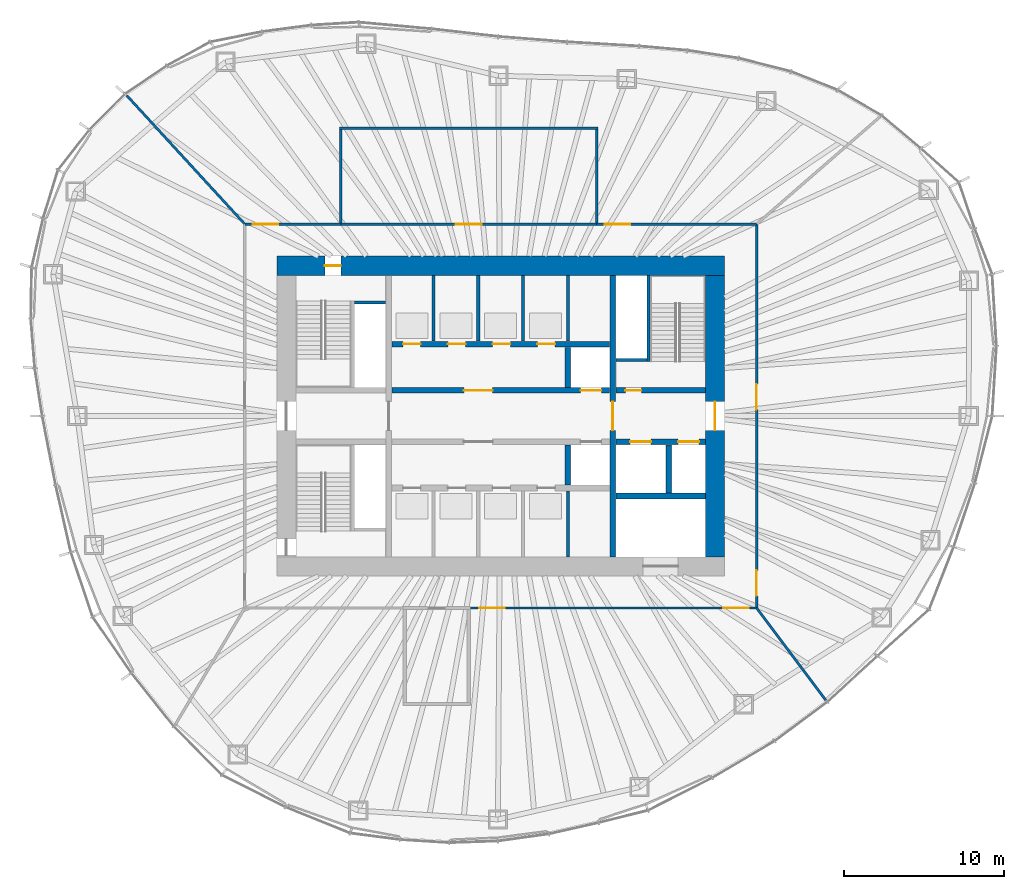
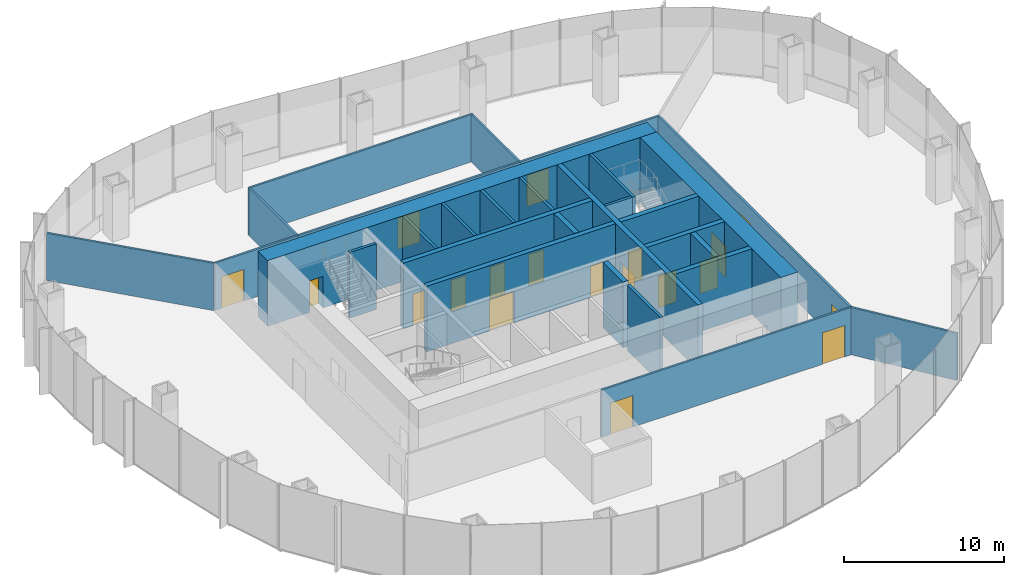
# One storey, part 9 of 18: 29 walls, 19 doors, 19 openings.
"""IFC4 building model written with IfcOpenShell, lengths in metres."""

from ifc_helpers import new_model, si_unit, direction, frame, frame_2d, origin, place, context, subcontext, project, spatial, rectangle, extrude, material, layer, layer_set, type_object, element, fill, save


model = new_model("IFC4")

# Units and contexts
model_context = context("Model", 3, precision=1e-05, world=origin(), true_north=direction((0.0, 1.0)))
body_context = subcontext(model_context, "Body", "Model", "MODEL_VIEW")
ifc_project = project(units=[si_unit("LENGTHUNIT", "METRE"), si_unit("AREAUNIT", "SQUARE_METRE"), si_unit("VOLUMEUNIT", "CUBIC_METRE"), si_unit("PLANEANGLEUNIT", "RADIAN"), si_unit("MASSUNIT", "GRAM", prefix="KILO")], contexts=[model_context])

# Site, building, storey
site_placement = place(None, origin())
site = spatial("IfcSite", under=ifc_project, at=site_placement, CompositionType="ELEMENT")
building_placement = place(site_placement, origin())
building = spatial("IfcBuilding", under=site, at=building_placement, Name="Ghaith Harvest Tower", CompositionType="ELEMENT")
storey_placement = place(building_placement, frame((0.0, 0.0, 184.800048828125)))
storey = spatial("IfcBuildingStorey", under=building, at=storey_placement, Name="L40", CompositionType="ELEMENT", Elevation=184.800048828125)

# Wall, opening, door
ifc_material_1 = material(Name="Concrete C60/75", Category="concrete")
ifc_layer_1 = layer(ifc_material_1, 1.199951171875)
ifc_layer_set_1 = layer_set([ifc_layer_1], Name="CORE WALL CW1200 C60")
wall_type_1 = type_object("IfcWallType", Name="CORE WALL CW1200 C60", PredefinedType="SHEAR", material=ifc_layer_set_1)
wall_1_placement = place(storey_placement, frame((14.0, 9.39990234375, 0.0), z_axis=(0.0, 0.0, 1.0), x_axis=(-1.0, 0.0, 0.0)))
wall_1 = element("IfcWall", 1, at=wall_1_placement, inside=storey, type_object=wall_type_1, Name="Core wall N L40", PredefinedType="SHEAR", context=body_context, shape_type="SweptSolid", body=[
    extrude(rectangle(XDim=28.0, YDim=1.199951171875, at=frame_2d((14.0, 0.0))), origin(), (0.0, 0.0, 1.0), 5.0),
])
opening_1_placement = place(wall_1_placement, frame((24.0, 0.0, 0.0)))
opening_1 = element("IfcOpeningElement", 2, at=opening_1_placement, cuts=wall_1, Name="Opening 40-005", PredefinedType="OPENING", context=body_context, shape_type="SweptSolid", body=[
    extrude(rectangle(XDim=1.0, YDim=2.39990234375, at=frame_2d((0.5, 1.199951171875))), frame((0.0, 0.60986328125, 0.0), z_axis=(0.0, -1.0, 0.0), x_axis=(1.0, 0.0, 0.0)), (0.0, 0.0, 1.0), 1.219970703125),
])
ifc_material_2 = material(Name="Steel fire door", Category="steel")
door_type_1 = type_object("IfcDoorType", Name="D3 FD90 1000x2400", OperationType="SINGLE_SWING_LEFT", PredefinedType="DOOR", material=ifc_material_2)
door_1_placement = place(opening_1_placement, origin())
door_1 = element("IfcDoor", 3, at=door_1_placement, inside=storey, type_object=door_type_1, Name="Stair ST1 door", OperationType="SINGLE_SWING_RIGHT", OverallHeight=2.39990234375, OverallWidth=1.0, PredefinedType="DOOR", context=body_context, shape_type="SweptSolid", body=[
    extrude(rectangle(XDim=1.0, YDim=2.39990234375, at=frame_2d((0.5, 1.199951171875))), frame((0.0, 0.02490234375, 0.0), z_axis=(0.0, -1.0, 0.0), x_axis=(1.0, 0.0, 0.0)), (0.0, 0.0, 1.0), 0.050048828125),
])
fill(opening_1, door_1)

wall_2_placement = place(storey_placement, frame((13.39990234375, -8.800048828125, 0.0), z_axis=(0.0, 0.0, 1.0), x_axis=(0.0, 1.0, 0.0)))
wall_2 = element("IfcWall", 4, at=wall_2_placement, inside=storey, type_object=wall_type_1, Name="Core wall E L40", PredefinedType="SHEAR", context=body_context, shape_type="SweptSolid", body=[
    extrude(rectangle(XDim=17.60009765625, YDim=1.199951171875, at=frame_2d((8.800048828125, 0.0))), origin(), (0.0, 0.0, 1.0), 5.0),
])
opening_2_placement = place(wall_2_placement, frame((7.89990234375, 0.0, 0.0)))
opening_2 = element("IfcOpeningElement", 5, at=opening_2_placement, cuts=wall_2, Name="Opening 40-002", PredefinedType="OPENING", context=body_context, shape_type="SweptSolid", body=[
    extrude(rectangle(XDim=1.800048828125, YDim=2.39990234375, at=frame_2d((0.89990234375, 1.199951171875))), frame((0.0, 0.60986328125, 0.0), z_axis=(0.0, -1.0, 0.0), x_axis=(1.0, 0.0, 0.0)), (0.0, 0.0, 1.0), 1.219970703125),
])
ifc_material_3 = material(Name="Steel fire door", Category="steel")
door_type_2 = type_object("IfcDoorType", Name="D4 FD90 PAIR 1800x2400", OperationType="DOUBLE_DOOR_SINGLE_SWING", PredefinedType="DOOR", material=ifc_material_3)
door_2_placement = place(opening_2_placement, origin())
door_2 = element("IfcDoor", 6, at=door_2_placement, inside=storey, type_object=door_type_2, Name="Fire-fighting lobby doors", OperationType="DOUBLE_DOOR_SINGLE_SWING", OverallHeight=2.39990234375, OverallWidth=1.800048828125, PredefinedType="DOOR", context=body_context, shape_type="SweptSolid", body=[
    extrude(rectangle(XDim=1.800048828125, YDim=2.39990234375, at=frame_2d((0.89990234375, 1.199951171875))), frame((0.0, 0.02490234375, 0.0), z_axis=(0.0, -1.0, 0.0), x_axis=(1.0, 0.0, 0.0)), (0.0, 0.0, 1.0), 0.050048828125),
])
fill(opening_2, door_2)

# Walls
ifc_material_4 = material(Name="Concrete blockwork, 2-hour", Category="masonry")
ifc_layer_2 = layer(ifc_material_4, 0.199951171875)
ifc_layer_set_2 = layer_set([ifc_layer_2], Name="LIFT SHAFT WALL 200")
wall_type_2 = type_object("IfcWallType", Name="LIFT SHAFT WALL 200", PredefinedType="PARTITIONING", material=ifc_layer_set_2)
for number, where, z_axis, x_axis, name in (
    (7, (-4.199951171875, 4.699951171875, 0.0), (0.0, 0.0, 1.0), (0.0, 1.0, 0.0), "Lift shaft wall L40"),
    (8, (-1.39990234375, 4.699951171875, 0.0), (0.0, 0.0, 1.0), (0.0, 1.0, 0.0), "Lift shaft wall L40"),
    (9, (1.39990234375, 4.699951171875, 0.0), (0.0, 0.0, 1.0), (0.0, 1.0, 0.0), "Lift shaft wall L40"),
    (10, (4.199951171875, 4.699951171875, 0.0), (0.0, 0.0, 1.0), (0.0, 1.0, 0.0), "Lift shaft wall L40"),
    (11, (4.199951171875, -4.699951171875, 0.0), (0.0, 0.0, 1.0), (0.0, -1.0, 0.0), "Lift shaft wall L40"),
):
    element("IfcWall", number, at=place(storey_placement, frame(where, z_axis=z_axis, x_axis=x_axis)), inside=storey, type_object=wall_type_2, Name=name, PredefinedType="PARTITIONING", context=body_context, shape_type="SweptSolid", body=[
        extrude(rectangle(XDim=4.10009765625, YDim=0.199951171875, at=frame_2d((2.050048828125, 0.0))), origin(), (0.0, 0.0, 1.0), 5.0),
    ])
ifc_material_5 = material(Name="Gypsum board on steel studs", Category="steel")
ifc_layer_3 = layer(ifc_material_5, 0.14990234375)
ifc_layer_set_3 = layer_set([ifc_layer_3], Name="PARTITION 150")
wall_type_3 = type_object("IfcWallType", Name="PARTITION 150", PredefinedType="PARTITIONING", material=ifc_layer_set_3)
wall_3_placement = place(storey_placement, frame((-16.013427734375, 12.0146484375, 0.0), z_axis=(0.0, 0.0, 1.0), x_axis=(-0.676167685567, 0.73674775941, 0.0)))
element("IfcWall", 12, at=wall_3_placement, inside=storey, type_object=wall_type_3, Name="Partition L40 zone division", PredefinedType="PARTITIONING", context=body_context, shape_type="SweptSolid", body=[
    extrude(rectangle(XDim=10.9013671875, YDim=0.14990234375, at=frame_2d((5.45068359375, 0.0))), origin(), (0.0, 0.0, 1.0), 3.599853515625),
])
wall_4_placement = place(storey_placement, frame((16.011962890625, -12.01611328125, 0.0), z_axis=(0.0, 0.0, 1.0), x_axis=(0.600059749679, -0.799955184254, 0.0)))
element("IfcWall", 13, at=wall_4_placement, inside=storey, type_object=wall_type_3, Name="Partition L40 zone division", PredefinedType="PARTITIONING", context=body_context, shape_type="SweptSolid", body=[
    extrude(rectangle(XDim=7.191162109375, YDim=0.14990234375, at=frame_2d((3.595703125, 0.0))), origin(), (0.0, 0.0, 1.0), 3.599853515625),
])

# Wall, opening, door
wall_5_placement = place(storey_placement, frame((-10.0, 12.0, 0.0), z_axis=(0.0, 0.0, 1.0), x_axis=(-1.0, 0.0, 0.0)))
wall_5 = element("IfcWall", 14, at=wall_5_placement, inside=storey, type_object=wall_type_3, Name="Partition L40 zone enclosure", PredefinedType="PARTITIONING", context=body_context, shape_type="SweptSolid", body=[
    extrude(rectangle(XDim=6.0, YDim=0.14990234375, at=frame_2d((3.0, 0.0))), origin(), (0.0, 0.0, 1.0), 3.599853515625),
])
opening_3_placement = place(wall_5_placement, frame((3.89990234375, 0.0, 0.0)))
opening_3 = element("IfcOpeningElement", 15, at=opening_3_placement, cuts=wall_5, Name="Opening 40-026", PredefinedType="OPENING", context=body_context, shape_type="SweptSolid", body=[
    extrude(rectangle(XDim=1.60009765625, YDim=2.39990234375, at=frame_2d((0.800048828125, 1.199951171875))), frame((0.0, 0.0849609375, 0.0), z_axis=(0.0, -1.0, 0.0), x_axis=(1.0, 0.0, 0.0)), (0.0, 0.0, 1.0), 0.169921875),
])
ifc_material_6 = material(Name="Timber door", Category="wood")
door_type_3 = type_object("IfcDoorType", Name="D2 PAIR 1600x2400", OperationType="DOUBLE_DOOR_SINGLE_SWING", PredefinedType="DOOR", material=ifc_material_6)
door_3_placement = place(opening_3_placement, origin())
door_3 = element("IfcDoor", 16, at=door_3_placement, inside=storey, type_object=door_type_3, Name="Business lounge north door", OperationType="DOUBLE_DOOR_SINGLE_SWING", OverallHeight=2.39990234375, OverallWidth=1.60009765625, PredefinedType="DOOR", context=body_context, shape_type="SweptSolid", body=[
    extrude(rectangle(XDim=1.60009765625, YDim=2.39990234375, at=frame_2d((0.800048828125, 1.199951171875))), frame((0.0, 0.02490234375, 0.0), z_axis=(0.0, -1.0, 0.0), x_axis=(1.0, 0.0, 0.0)), (0.0, 0.0, 1.0), 0.050048828125),
])
fill(opening_3, door_3)

wall_6_placement = place(storey_placement, frame((16.0, 12.0, 0.0), z_axis=(0.0, 0.0, 1.0), x_axis=(-1.0, 0.0, 0.0)))
wall_6 = element("IfcWall", 17, at=wall_6_placement, inside=storey, type_object=wall_type_3, Name="Partition L40 zone enclosure", PredefinedType="PARTITIONING", context=body_context, shape_type="SweptSolid", body=[
    extrude(rectangle(XDim=10.0, YDim=0.14990234375, at=frame_2d((5.0, 0.0))), origin(), (0.0, 0.0, 1.0), 3.599853515625),
])
opening_4_placement = place(wall_6_placement, frame((7.89990234375, 0.0, 0.0)))
opening_4 = element("IfcOpeningElement", 18, at=opening_4_placement, cuts=wall_6, Name="Opening 40-025", PredefinedType="OPENING", context=body_context, shape_type="SweptSolid", body=[
    extrude(rectangle(XDim=1.60009765625, YDim=2.39990234375, at=frame_2d((0.800048828125, 1.199951171875))), frame((0.0, 0.0849609375, 0.0), z_axis=(0.0, -1.0, 0.0), x_axis=(1.0, 0.0, 0.0)), (0.0, 0.0, 1.0), 0.169921875),
])
door_4_placement = place(opening_4_placement, origin())
door_4 = element("IfcDoor", 19, at=door_4_placement, inside=storey, type_object=door_type_3, Name="Business lounge north door", OperationType="DOUBLE_DOOR_SINGLE_SWING", OverallHeight=2.39990234375, OverallWidth=1.60009765625, PredefinedType="DOOR", context=body_context, shape_type="SweptSolid", body=[
    extrude(rectangle(XDim=1.60009765625, YDim=2.39990234375, at=frame_2d((0.800048828125, 1.199951171875))), frame((0.0, 0.02490234375, 0.0), z_axis=(0.0, -1.0, 0.0), x_axis=(1.0, 0.0, 0.0)), (0.0, 0.0, 1.0), 0.050048828125),
])
fill(opening_4, door_4)

# Wall, openings, doors
wall_7_placement = place(storey_placement, frame((16.0, -12.0, 0.0), z_axis=(0.0, 0.0, 1.0), x_axis=(0.0, 1.0, 0.0)))
wall_7 = element("IfcWall", 20, at=wall_7_placement, inside=storey, type_object=wall_type_3, Name="Partition L40 zone enclosure", PredefinedType="PARTITIONING", context=body_context, shape_type="SweptSolid", body=[
    extrude(rectangle(XDim=24.0, YDim=0.14990234375, at=frame_2d((12.0, 0.0))), origin(), (0.0, 0.0, 1.0), 3.599853515625),
])
opening_5_placement = place(wall_7_placement, frame((12.39990234375, 0.0, 0.0)))
opening_5 = element("IfcOpeningElement", 21, at=opening_5_placement, cuts=wall_7, Name="Opening 40-027", PredefinedType="OPENING", context=body_context, shape_type="SweptSolid", body=[
    extrude(rectangle(XDim=1.60009765625, YDim=2.39990234375, at=frame_2d((0.800048828125, 1.199951171875))), frame((0.0, 0.0849609375, 0.0), z_axis=(0.0, -1.0, 0.0), x_axis=(1.0, 0.0, 0.0)), (0.0, 0.0, 1.0), 0.169921875),
])
opening_6_placement = place(wall_7_placement, frame((0.75, 0.0, 0.0)))
opening_6 = element("IfcOpeningElement", 22, at=opening_6_placement, cuts=wall_7, Name="Opening 40-028", PredefinedType="OPENING", context=body_context, shape_type="SweptSolid", body=[
    extrude(rectangle(XDim=1.60009765625, YDim=2.39990234375, at=frame_2d((0.800048828125, 1.199951171875))), frame((0.0, 0.0849609375, 0.0), z_axis=(0.0, -1.0, 0.0), x_axis=(1.0, 0.0, 0.0)), (0.0, 0.0, 1.0), 0.169921875),
])
door_5_placement = place(opening_5_placement, origin())
door_5 = element("IfcDoor", 23, at=door_5_placement, inside=storey, type_object=door_type_3, Name="Business centre east door", OperationType="DOUBLE_DOOR_SINGLE_SWING", OverallHeight=2.39990234375, OverallWidth=1.60009765625, PredefinedType="DOOR", context=body_context, shape_type="SweptSolid", body=[
    extrude(rectangle(XDim=1.60009765625, YDim=2.39990234375, at=frame_2d((0.800048828125, 1.199951171875))), frame((0.0, 0.02490234375, 0.0), z_axis=(0.0, -1.0, 0.0), x_axis=(1.0, 0.0, 0.0)), (0.0, 0.0, 1.0), 0.050048828125),
])
fill(opening_5, door_5)
door_6_placement = place(opening_6_placement, origin())
door_6 = element("IfcDoor", 24, at=door_6_placement, inside=storey, type_object=door_type_3, Name="Business centre east door", OperationType="DOUBLE_DOOR_SINGLE_SWING", OverallHeight=2.39990234375, OverallWidth=1.60009765625, PredefinedType="DOOR", context=body_context, shape_type="SweptSolid", body=[
    extrude(rectangle(XDim=1.60009765625, YDim=2.39990234375, at=frame_2d((0.800048828125, 1.199951171875))), frame((0.0, 0.02490234375, 0.0), z_axis=(0.0, -1.0, 0.0), x_axis=(1.0, 0.0, 0.0)), (0.0, 0.0, 1.0), 0.050048828125),
])
fill(opening_6, door_6)

wall_8_placement = place(storey_placement, frame((-2.0, -12.0, 0.0), z_axis=(0.0, 0.0, 1.0), x_axis=(1.0, 0.0, 0.0)))
wall_8 = element("IfcWall", 25, at=wall_8_placement, inside=storey, type_object=wall_type_3, Name="Partition L40 zone enclosure", PredefinedType="PARTITIONING", context=body_context, shape_type="SweptSolid", body=[
    extrude(rectangle(XDim=18.0, YDim=0.14990234375, at=frame_2d((9.0, 0.0))), origin(), (0.0, 0.0, 1.0), 3.599853515625),
])
opening_7_placement = place(wall_8_placement, frame((0.64990234375, 0.0, 0.0)))
opening_7 = element("IfcOpeningElement", 26, at=opening_7_placement, cuts=wall_8, Name="Opening 40-029", PredefinedType="OPENING", context=body_context, shape_type="SweptSolid", body=[
    extrude(rectangle(XDim=1.60009765625, YDim=2.39990234375, at=frame_2d((0.800048828125, 1.199951171875))), frame((0.0, 0.0849609375, 0.0), z_axis=(0.0, -1.0, 0.0), x_axis=(1.0, 0.0, 0.0)), (0.0, 0.0, 1.0), 0.169921875),
])
opening_8_placement = place(wall_8_placement, frame((15.89990234375, 0.0, 0.0)))
opening_8 = element("IfcOpeningElement", 27, at=opening_8_placement, cuts=wall_8, Name="Opening 40-030", PredefinedType="OPENING", context=body_context, shape_type="SweptSolid", body=[
    extrude(rectangle(XDim=1.60009765625, YDim=2.39990234375, at=frame_2d((0.800048828125, 1.199951171875))), frame((0.0, 0.0849609375, 0.0), z_axis=(0.0, -1.0, 0.0), x_axis=(1.0, 0.0, 0.0)), (0.0, 0.0, 1.0), 0.169921875),
])
door_7_placement = place(opening_7_placement, origin())
door_7 = element("IfcDoor", 28, at=door_7_placement, inside=storey, type_object=door_type_3, Name="Co-working lounge south door", OperationType="DOUBLE_DOOR_SINGLE_SWING", OverallHeight=2.39990234375, OverallWidth=1.60009765625, PredefinedType="DOOR", context=body_context, shape_type="SweptSolid", body=[
    extrude(rectangle(XDim=1.60009765625, YDim=2.39990234375, at=frame_2d((0.800048828125, 1.199951171875))), frame((0.0, 0.02490234375, 0.0), z_axis=(0.0, -1.0, 0.0), x_axis=(1.0, 0.0, 0.0)), (0.0, 0.0, 1.0), 0.050048828125),
])
fill(opening_7, door_7)
door_8_placement = place(opening_8_placement, origin())
door_8 = element("IfcDoor", 29, at=door_8_placement, inside=storey, type_object=door_type_3, Name="Co-working lounge south door", OperationType="DOUBLE_DOOR_SINGLE_SWING", OverallHeight=2.39990234375, OverallWidth=1.60009765625, PredefinedType="DOOR", context=body_context, shape_type="SweptSolid", body=[
    extrude(rectangle(XDim=1.60009765625, YDim=2.39990234375, at=frame_2d((0.800048828125, 1.199951171875))), frame((0.0, 0.02490234375, 0.0), z_axis=(0.0, -1.0, 0.0), x_axis=(1.0, 0.0, 0.0)), (0.0, 0.0, 1.0), 0.050048828125),
])
fill(opening_8, door_8)

# Wall, opening, door
wall_9_placement = place(storey_placement, frame((-10.074951171875, 12.0, 0.0), z_axis=(0.0, 0.0, 1.0), x_axis=(1.0, 0.0, 0.0)))
wall_9 = element("IfcWall", 30, at=wall_9_placement, inside=storey, type_object=wall_type_3, Name="Partition L40-01", PredefinedType="PARTITIONING", context=body_context, shape_type="SweptSolid", body=[
    extrude(rectangle(XDim=16.14990234375, YDim=0.14990234375, at=frame_2d((8.074951171875, 0.0))), origin(), (0.0, 0.0, 1.0), 3.599853515625),
])
opening_9_placement = place(wall_9_placement, frame((7.27490234375, 0.0, 0.0)))
opening_9 = element("IfcOpeningElement", 31, at=opening_9_placement, cuts=wall_9, Name="Opening 40-023", PredefinedType="OPENING", context=body_context, shape_type="SweptSolid", body=[
    extrude(rectangle(XDim=1.60009765625, YDim=2.39990234375, at=frame_2d((0.800048828125, 1.199951171875))), frame((0.0, 0.0849609375, 0.0), z_axis=(0.0, -1.0, 0.0), x_axis=(1.0, 0.0, 0.0)), (0.0, 0.0, 1.0), 0.169921875),
])
door_9_placement = place(opening_9_placement, origin())
door_9 = element("IfcDoor", 32, at=door_9_placement, inside=storey, type_object=door_type_3, Name="Sky cafe door", OperationType="DOUBLE_DOOR_SINGLE_SWING", OverallHeight=2.39990234375, OverallWidth=1.60009765625, PredefinedType="DOOR", context=body_context, shape_type="SweptSolid", body=[
    extrude(rectangle(XDim=1.60009765625, YDim=2.39990234375, at=frame_2d((0.800048828125, 1.199951171875))), frame((0.0, 0.02490234375, 0.0), z_axis=(0.0, -1.0, 0.0), x_axis=(1.0, 0.0, 0.0)), (0.0, 0.0, 1.0), 0.050048828125),
])
fill(opening_9, door_9)

# Walls
wall_10_placement = place(storey_placement, frame((-10.074951171875, 18.0, 0.0), z_axis=(0.0, 0.0, 1.0), x_axis=(1.0, 0.0, 0.0)))
element("IfcWall", 33, at=wall_10_placement, inside=storey, type_object=wall_type_3, Name="Partition L40-01", PredefinedType="PARTITIONING", context=body_context, shape_type="SweptSolid", body=[
    extrude(rectangle(XDim=16.14990234375, YDim=0.14990234375, at=frame_2d((8.074951171875, 0.0))), origin(), (0.0, 0.0, 1.0), 3.599853515625),
])
for number, where, z_axis, x_axis, name in (
    (34, (-10.0, 12.074951171875, 0.0), (0.0, 0.0, 1.0), (0.0, 1.0, 0.0), "Partition L40-01"),
    (35, (6.0, 12.074951171875, 0.0), (0.0, 0.0, 1.0), (0.0, 1.0, 0.0), "Partition L40-01"),
):
    element("IfcWall", number, at=place(storey_placement, frame(where, z_axis=z_axis, x_axis=x_axis)), inside=storey, type_object=wall_type_3, Name=name, PredefinedType="PARTITIONING", context=body_context, shape_type="SweptSolid", body=[
        extrude(rectangle(XDim=5.85009765625, YDim=0.14990234375, at=frame_2d((2.925048828125, 0.0))), origin(), (0.0, 0.0, 1.0), 3.599853515625),
    ])

# Wall, opening, door
ifc_material_7 = material(Name="Concrete C60/75", Category="concrete")
ifc_layer_4 = layer(ifc_material_7, 0.35009765625)
ifc_layer_set_4 = layer_set([ifc_layer_4], Name="SHAFT WALL 350")
wall_type_4 = type_object("IfcWallType", Name="SHAFT WALL 350", PredefinedType="SHEAR", material=ifc_layer_set_4)
wall_11_placement = place(storey_placement, frame((7.0, -8.800048828125, 0.0), z_axis=(0.0, 0.0, 1.0), x_axis=(0.0, 1.0, 0.0)))
wall_11 = element("IfcWall", 36, at=wall_11_placement, inside=storey, type_object=wall_type_4, Name="Shaft wall W7E L40", PredefinedType="SHEAR", context=body_context, shape_type="SweptSolid", body=[
    extrude(rectangle(XDim=17.60009765625, YDim=0.35009765625, at=frame_2d((8.800048828125, 0.0))), origin(), (0.0, 0.0, 1.0), 5.0),
])
opening_10_placement = place(wall_11_placement, frame((7.89990234375, 0.0, 0.0)))
opening_10 = element("IfcOpeningElement", 37, at=opening_10_placement, cuts=wall_11, Name="Opening 40-004", PredefinedType="OPENING", context=body_context, shape_type="SweptSolid", body=[
    extrude(rectangle(XDim=1.800048828125, YDim=2.39990234375, at=frame_2d((0.89990234375, 1.199951171875))), frame((0.0, 0.18505859375, 0.0), z_axis=(0.0, -1.0, 0.0), x_axis=(1.0, 0.0, 0.0)), (0.0, 0.0, 1.0), 0.3701171875),
])
door_10_placement = place(opening_10_placement, origin())
door_10 = element("IfcDoor", 38, at=door_10_placement, inside=storey, type_object=door_type_2, Name="Lift lobby doors, east", OperationType="DOUBLE_DOOR_SINGLE_SWING", OverallHeight=2.39990234375, OverallWidth=1.800048828125, PredefinedType="DOOR", context=body_context, shape_type="SweptSolid", body=[
    extrude(rectangle(XDim=1.800048828125, YDim=2.39990234375, at=frame_2d((0.89990234375, 1.199951171875))), frame((0.0, 0.02490234375, 0.0), z_axis=(0.0, -1.0, 0.0), x_axis=(1.0, 0.0, 0.0)), (0.0, 0.0, 1.0), 0.050048828125),
])
fill(opening_10, door_10)

# Wall, openings, doors
wall_12_placement = place(storey_placement, frame((-6.800048828125, 1.60009765625, 0.0), z_axis=(0.0, 0.0, 1.0), x_axis=(1.0, 0.0, 0.0)))
wall_12 = element("IfcWall", 39, at=wall_12_placement, inside=storey, type_object=wall_type_4, Name="Shaft wall LN L40", PredefinedType="SHEAR", context=body_context, shape_type="SweptSolid", body=[
    extrude(rectangle(XDim=13.60009765625, YDim=0.35009765625, at=frame_2d((6.800048828125, 0.0))), origin(), (0.0, 0.0, 1.0), 5.0),
])
opening_11_placement = place(wall_12_placement, frame((4.5, 0.0, 0.0)))
opening_11 = element("IfcOpeningElement", 40, at=opening_11_placement, cuts=wall_12, Name="Opening 40-008", PredefinedType="OPENING", context=body_context, shape_type="SweptSolid", body=[
    extrude(rectangle(XDim=1.800048828125, YDim=2.39990234375, at=frame_2d((0.89990234375, 1.199951171875))), frame((0.0, 0.18505859375, 0.0), z_axis=(0.0, -1.0, 0.0), x_axis=(1.0, 0.0, 0.0)), (0.0, 0.0, 1.0), 0.3701171875),
])
opening_12_placement = place(wall_12_placement, frame((11.800048828125, 0.0, 0.0)))
opening_12 = element("IfcOpeningElement", 41, at=opening_12_placement, cuts=wall_12, Name="Opening 40-018", PredefinedType="OPENING", context=body_context, shape_type="SweptSolid", body=[
    extrude(rectangle(XDim=1.300048828125, YDim=2.39990234375, at=frame_2d((0.64990234375, 1.199951171875))), frame((0.0, 0.18505859375, 0.0), z_axis=(0.0, -1.0, 0.0), x_axis=(1.0, 0.0, 0.0)), (0.0, 0.0, 1.0), 0.3701171875),
])
door_11_placement = place(opening_11_placement, origin())
door_11 = element("IfcDoor", 42, at=door_11_placement, inside=storey, type_object=door_type_2, Name="Lift lobby doors, high-rise bank", OperationType="DOUBLE_DOOR_SINGLE_SWING", OverallHeight=2.39990234375, OverallWidth=1.800048828125, PredefinedType="DOOR", context=body_context, shape_type="SweptSolid", body=[
    extrude(rectangle(XDim=1.800048828125, YDim=2.39990234375, at=frame_2d((0.89990234375, 1.199951171875))), frame((0.0, 0.02490234375, 0.0), z_axis=(0.0, -1.0, 0.0), x_axis=(1.0, 0.0, 0.0)), (0.0, 0.0, 1.0), 0.050048828125),
])
fill(opening_11, door_11)
ifc_material_8 = material(Name="Steel fire door", Category="steel")
door_type_4 = type_object("IfcDoorType", Name="LD2 LANDING 1300x2400", OperationType="DOUBLE_DOOR_SLIDING", PredefinedType="DOOR", material=ifc_material_8)
door_12_placement = place(opening_12_placement, origin())
door_12 = element("IfcDoor", 43, at=door_12_placement, inside=storey, type_object=door_type_4, Name="Landing door, lift SH1", OperationType="DOUBLE_DOOR_SLIDING", OverallHeight=2.39990234375, OverallWidth=1.300048828125, PredefinedType="DOOR", context=body_context, shape_type="SweptSolid", body=[
    extrude(rectangle(XDim=1.300048828125, YDim=2.39990234375, at=frame_2d((0.64990234375, 1.199951171875))), frame((0.0, 0.02490234375, 0.0), z_axis=(0.0, -1.0, 0.0), x_axis=(1.0, 0.0, 0.0)), (0.0, 0.0, 1.0), 0.050048828125),
])
fill(opening_12, door_12)

wall_13_placement = place(storey_placement, frame((-6.800048828125, 4.5, 0.0), z_axis=(0.0, 0.0, 1.0), x_axis=(1.0, 0.0, 0.0)))
wall_13 = element("IfcWall", 44, at=wall_13_placement, inside=storey, type_object=wall_type_4, Name="Shaft wall BN L40", PredefinedType="SHEAR", context=body_context, shape_type="SweptSolid", body=[
    extrude(rectangle(XDim=13.60009765625, YDim=0.35009765625, at=frame_2d((6.800048828125, 0.0))), origin(), (0.0, 0.0, 1.0), 5.0),
])
opening_13_placement = place(wall_13_placement, frame((0.699951171875, 0.0, 0.0)))
opening_13 = element("IfcOpeningElement", 45, at=opening_13_placement, cuts=wall_13, Name="Opening 40-010", PredefinedType="OPENING", context=body_context, shape_type="SweptSolid", body=[
    extrude(rectangle(XDim=1.10009765625, YDim=2.39990234375, at=frame_2d((0.550048828125, 1.199951171875))), frame((0.0, 0.18505859375, 0.0), z_axis=(0.0, -1.0, 0.0), x_axis=(1.0, 0.0, 0.0)), (0.0, 0.0, 1.0), 0.3701171875),
])
opening_14_placement = place(wall_13_placement, frame((3.5, 0.0, 0.0)))
opening_14 = element("IfcOpeningElement", 46, at=opening_14_placement, cuts=wall_13, Name="Opening 40-012", PredefinedType="OPENING", context=body_context, shape_type="SweptSolid", body=[
    extrude(rectangle(XDim=1.10009765625, YDim=2.39990234375, at=frame_2d((0.550048828125, 1.199951171875))), frame((0.0, 0.18505859375, 0.0), z_axis=(0.0, -1.0, 0.0), x_axis=(1.0, 0.0, 0.0)), (0.0, 0.0, 1.0), 0.3701171875),
])
opening_15_placement = place(wall_13_placement, frame((6.300048828125, 0.0, 0.0)))
opening_15 = element("IfcOpeningElement", 47, at=opening_15_placement, cuts=wall_13, Name="Opening 40-014", PredefinedType="OPENING", context=body_context, shape_type="SweptSolid", body=[
    extrude(rectangle(XDim=1.10009765625, YDim=2.39990234375, at=frame_2d((0.550048828125, 1.199951171875))), frame((0.0, 0.18505859375, 0.0), z_axis=(0.0, -1.0, 0.0), x_axis=(1.0, 0.0, 0.0)), (0.0, 0.0, 1.0), 0.3701171875),
])
opening_16_placement = place(wall_13_placement, frame((9.10009765625, 0.0, 0.0)))
opening_16 = element("IfcOpeningElement", 48, at=opening_16_placement, cuts=wall_13, Name="Opening 40-016", PredefinedType="OPENING", context=body_context, shape_type="SweptSolid", body=[
    extrude(rectangle(XDim=1.10009765625, YDim=2.39990234375, at=frame_2d((0.550048828125, 1.199951171875))), frame((0.0, 0.18505859375, 0.0), z_axis=(0.0, -1.0, 0.0), x_axis=(1.0, 0.0, 0.0)), (0.0, 0.0, 1.0), 0.3701171875),
])
ifc_material_9 = material(Name="Steel fire door", Category="steel")
door_type_5 = type_object("IfcDoorType", Name="LD1 LANDING 1100x2400", OperationType="DOUBLE_DOOR_SLIDING", PredefinedType="DOOR", material=ifc_material_9)
door_13_placement = place(opening_13_placement, origin())
door_13 = element("IfcDoor", 49, at=door_13_placement, inside=storey, type_object=door_type_5, Name="Landing door, lift HR1", OperationType="DOUBLE_DOOR_SLIDING", OverallHeight=2.39990234375, OverallWidth=1.10009765625, PredefinedType="DOOR", context=body_context, shape_type="SweptSolid", body=[
    extrude(rectangle(XDim=1.10009765625, YDim=2.39990234375, at=frame_2d((0.550048828125, 1.199951171875))), frame((0.0, 0.02490234375, 0.0), z_axis=(0.0, -1.0, 0.0), x_axis=(1.0, 0.0, 0.0)), (0.0, 0.0, 1.0), 0.050048828125),
])
fill(opening_13, door_13)
door_14_placement = place(opening_14_placement, origin())
door_14 = element("IfcDoor", 50, at=door_14_placement, inside=storey, type_object=door_type_5, Name="Landing door, lift HR2", OperationType="DOUBLE_DOOR_SLIDING", OverallHeight=2.39990234375, OverallWidth=1.10009765625, PredefinedType="DOOR", context=body_context, shape_type="SweptSolid", body=[
    extrude(rectangle(XDim=1.10009765625, YDim=2.39990234375, at=frame_2d((0.550048828125, 1.199951171875))), frame((0.0, 0.02490234375, 0.0), z_axis=(0.0, -1.0, 0.0), x_axis=(1.0, 0.0, 0.0)), (0.0, 0.0, 1.0), 0.050048828125),
])
fill(opening_14, door_14)
door_15_placement = place(opening_15_placement, origin())
door_15 = element("IfcDoor", 51, at=door_15_placement, inside=storey, type_object=door_type_5, Name="Landing door, lift HR3", OperationType="DOUBLE_DOOR_SLIDING", OverallHeight=2.39990234375, OverallWidth=1.10009765625, PredefinedType="DOOR", context=body_context, shape_type="SweptSolid", body=[
    extrude(rectangle(XDim=1.10009765625, YDim=2.39990234375, at=frame_2d((0.550048828125, 1.199951171875))), frame((0.0, 0.02490234375, 0.0), z_axis=(0.0, -1.0, 0.0), x_axis=(1.0, 0.0, 0.0)), (0.0, 0.0, 1.0), 0.050048828125),
])
fill(opening_15, door_15)
door_16_placement = place(opening_16_placement, origin())
door_16 = element("IfcDoor", 52, at=door_16_placement, inside=storey, type_object=door_type_5, Name="Landing door, lift HR4", OperationType="DOUBLE_DOOR_SLIDING", OverallHeight=2.39990234375, OverallWidth=1.10009765625, PredefinedType="DOOR", context=body_context, shape_type="SweptSolid", body=[
    extrude(rectangle(XDim=1.10009765625, YDim=2.39990234375, at=frame_2d((0.550048828125, 1.199951171875))), frame((0.0, 0.02490234375, 0.0), z_axis=(0.0, -1.0, 0.0), x_axis=(1.0, 0.0, 0.0)), (0.0, 0.0, 1.0), 0.050048828125),
])
fill(opening_16, door_16)

# Wall, opening, door
wall_14_placement = place(storey_placement, frame((7.199951171875, 1.60009765625, 0.0), z_axis=(0.0, 0.0, 1.0), x_axis=(1.0, 0.0, 0.0)))
wall_14 = element("IfcWall", 53, at=wall_14_placement, inside=storey, type_object=wall_type_4, Name="Shaft wall EN L40", PredefinedType="SHEAR", context=body_context, shape_type="SweptSolid", body=[
    extrude(rectangle(XDim=5.60009765625, YDim=0.35009765625, at=frame_2d((2.800048828125, 0.0))), origin(), (0.0, 0.0, 1.0), 5.0),
])
opening_17_placement = place(wall_14_placement, frame((0.60009765625, 0.0, 0.0)))
opening_17 = element("IfcOpeningElement", 54, at=opening_17_placement, cuts=wall_14, Name="Opening 40-007", PredefinedType="OPENING", context=body_context, shape_type="SweptSolid", body=[
    extrude(rectangle(XDim=1.0, YDim=2.39990234375, at=frame_2d((0.5, 1.199951171875))), frame((0.0, 0.18505859375, 0.0), z_axis=(0.0, -1.0, 0.0), x_axis=(1.0, 0.0, 0.0)), (0.0, 0.0, 1.0), 0.3701171875),
])
door_17_placement = place(opening_17_placement, origin())
door_17 = element("IfcDoor", 55, at=door_17_placement, inside=storey, type_object=door_type_1, Name="Stair ST2 door", OperationType="SINGLE_SWING_LEFT", OverallHeight=2.39990234375, OverallWidth=1.0, PredefinedType="DOOR", context=body_context, shape_type="SweptSolid", body=[
    extrude(rectangle(XDim=1.0, YDim=2.39990234375, at=frame_2d((0.5, 1.199951171875))), frame((0.0, 0.02490234375, 0.0), z_axis=(0.0, -1.0, 0.0), x_axis=(1.0, 0.0, 0.0)), (0.0, 0.0, 1.0), 0.050048828125),
])
fill(opening_17, door_17)

# Wall, openings, doors
wall_15_placement = place(storey_placement, frame((7.199951171875, -1.60009765625, 0.0), z_axis=(0.0, 0.0, 1.0), x_axis=(1.0, 0.0, 0.0)))
wall_15 = element("IfcWall", 56, at=wall_15_placement, inside=storey, type_object=wall_type_4, Name="Shaft wall ES L40", PredefinedType="SHEAR", context=body_context, shape_type="SweptSolid", body=[
    extrude(rectangle(XDim=5.60009765625, YDim=0.35009765625, at=frame_2d((2.800048828125, 0.0))), origin(), (0.0, 0.0, 1.0), 5.0),
])
opening_18_placement = place(wall_15_placement, frame((0.89990234375, 0.0, 0.0)))
opening_18 = element("IfcOpeningElement", 57, at=opening_18_placement, cuts=wall_15, Name="Opening 40-020", PredefinedType="OPENING", context=body_context, shape_type="SweptSolid", body=[
    extrude(rectangle(XDim=1.300048828125, YDim=2.39990234375, at=frame_2d((0.64990234375, 1.199951171875))), frame((0.0, 0.18505859375, 0.0), z_axis=(0.0, -1.0, 0.0), x_axis=(1.0, 0.0, 0.0)), (0.0, 0.0, 1.0), 0.3701171875),
])
opening_19_placement = place(wall_15_placement, frame((3.89990234375, 0.0, 0.0)))
opening_19 = element("IfcOpeningElement", 58, at=opening_19_placement, cuts=wall_15, Name="Opening 40-021", PredefinedType="OPENING", context=body_context, shape_type="SweptSolid", body=[
    extrude(rectangle(XDim=1.300048828125, YDim=2.39990234375, at=frame_2d((0.64990234375, 1.199951171875))), frame((0.0, 0.18505859375, 0.0), z_axis=(0.0, -1.0, 0.0), x_axis=(1.0, 0.0, 0.0)), (0.0, 0.0, 1.0), 0.3701171875),
])
door_18_placement = place(opening_18_placement, origin())
door_18 = element("IfcDoor", 59, at=door_18_placement, inside=storey, type_object=door_type_4, Name="Landing door, fire service lift FL1", OperationType="DOUBLE_DOOR_SLIDING", OverallHeight=2.39990234375, OverallWidth=1.300048828125, PredefinedType="DOOR", context=body_context, shape_type="SweptSolid", body=[
    extrude(rectangle(XDim=1.300048828125, YDim=2.39990234375, at=frame_2d((0.64990234375, 1.199951171875))), frame((0.0, 0.02490234375, 0.0), z_axis=(0.0, -1.0, 0.0), x_axis=(1.0, 0.0, 0.0)), (0.0, 0.0, 1.0), 0.050048828125),
])
fill(opening_18, door_18)
door_19_placement = place(opening_19_placement, origin())
door_19 = element("IfcDoor", 60, at=door_19_placement, inside=storey, type_object=door_type_4, Name="Landing door, fire service lift FL2", OperationType="DOUBLE_DOOR_SLIDING", OverallHeight=2.39990234375, OverallWidth=1.300048828125, PredefinedType="DOOR", context=body_context, shape_type="SweptSolid", body=[
    extrude(rectangle(XDim=1.300048828125, YDim=2.39990234375, at=frame_2d((0.64990234375, 1.199951171875))), frame((0.0, 0.02490234375, 0.0), z_axis=(0.0, -1.0, 0.0), x_axis=(1.0, 0.0, 0.0)), (0.0, 0.0, 1.0), 0.050048828125),
])
fill(opening_19, door_19)

# Walls
wall_16_placement = place(storey_placement, frame((10.5, -4.800048828125, 0.0), z_axis=(0.0, 0.0, 1.0), x_axis=(0.0, 1.0, 0.0)))
element("IfcWall", 61, at=wall_16_placement, inside=storey, type_object=wall_type_4, Name="Shaft wall FLD L40", PredefinedType="SHEAR", context=body_context, shape_type="SweptSolid", body=[
    extrude(rectangle(XDim=3.0, YDim=0.35009765625, at=frame_2d((1.5, 0.0))), origin(), (0.0, 0.0, 1.0), 5.0),
])
wall_17_placement = place(storey_placement, frame((7.199951171875, -5.0, 0.0), z_axis=(0.0, 0.0, 1.0), x_axis=(1.0, 0.0, 0.0)))
element("IfcWall", 62, at=wall_17_placement, inside=storey, type_object=wall_type_4, Name="Shaft wall FLB L40", PredefinedType="SHEAR", context=body_context, shape_type="SweptSolid", body=[
    extrude(rectangle(XDim=5.60009765625, YDim=0.35009765625, at=frame_2d((2.800048828125, 0.0))), origin(), (0.0, 0.0, 1.0), 5.0),
])
for number, where, z_axis, x_axis, name in (
    (63, (4.199951171875, 1.800048828125, 0.0), (0.0, 0.0, 1.0), (0.0, 1.0, 0.0), "Shaft wall DN4 L40"),
    (64, (4.199951171875, -4.300048828125, 0.0), (0.0, 0.0, 1.0), (0.0, 1.0, 0.0), "Shaft wall DS4 L40"),
):
    element("IfcWall", number, at=place(storey_placement, frame(where, z_axis=z_axis, x_axis=x_axis)), inside=storey, type_object=wall_type_4, Name=name, PredefinedType="SHEAR", context=body_context, shape_type="SweptSolid", body=[
        extrude(rectangle(XDim=2.5, YDim=0.35009765625, at=frame_2d((1.25, 0.0))), origin(), (0.0, 0.0, 1.0), 5.0),
    ])
ifc_material_10 = material(Name="Concrete C40/50", Category="concrete")
ifc_layer_5 = layer(ifc_material_10, 0.199951171875)
ifc_layer_set_5 = layer_set([ifc_layer_5], Name="STAIR SPINE WALL RC200")
wall_type_5 = type_object("IfcWallType", Name="STAIR SPINE WALL RC200", PredefinedType="SOLIDWALL", material=ifc_layer_set_5)
wall_18_placement = place(storey_placement, frame((-9.14990234375, 7.10009765625, 0.0), z_axis=(0.0, 0.0, 1.0), x_axis=(1.0, 0.0, 0.0)))
element("IfcWall", 65, at=wall_18_placement, inside=storey, type_object=wall_type_5, Name="Stair ST1 spine wall return L40", PredefinedType="SOLIDWALL", context=body_context, shape_type="SweptSolid", body=[
    extrude(rectangle(XDim=1.949951171875, YDim=0.199951171875, at=frame_2d((0.97509765625, 0.0))), origin(), (0.0, 0.0, 1.0), 5.0),
])
wall_19_placement = place(storey_placement, frame((9.25, 3.39990234375, 0.0), z_axis=(0.0, 0.0, 1.0), x_axis=(0.0, 1.0, 0.0)))
element("IfcWall", 66, at=wall_19_placement, inside=storey, type_object=wall_type_5, Name="Stair ST2 spine wall L40", PredefinedType="SOLIDWALL", context=body_context, shape_type="SweptSolid", body=[
    extrude(rectangle(XDim=5.400146484375, YDim=0.199951171875, at=frame_2d((2.7001953125, 0.0))), origin(), (0.0, 0.0, 1.0), 5.0),
])
wall_20_placement = place(storey_placement, frame((9.14990234375, 3.5, 0.0), z_axis=(0.0, 0.0, 1.0), x_axis=(-1.0, 0.0, 0.0)))
element("IfcWall", 67, at=wall_20_placement, inside=storey, type_object=wall_type_5, Name="Stair ST2 spine wall return L40", PredefinedType="SOLIDWALL", context=body_context, shape_type="SweptSolid", body=[
    extrude(rectangle(XDim=1.949951171875, YDim=0.199951171875, at=frame_2d((0.97509765625, 0.0))), origin(), (0.0, 0.0, 1.0), 5.0),
])

save(model, "model.ifc")
